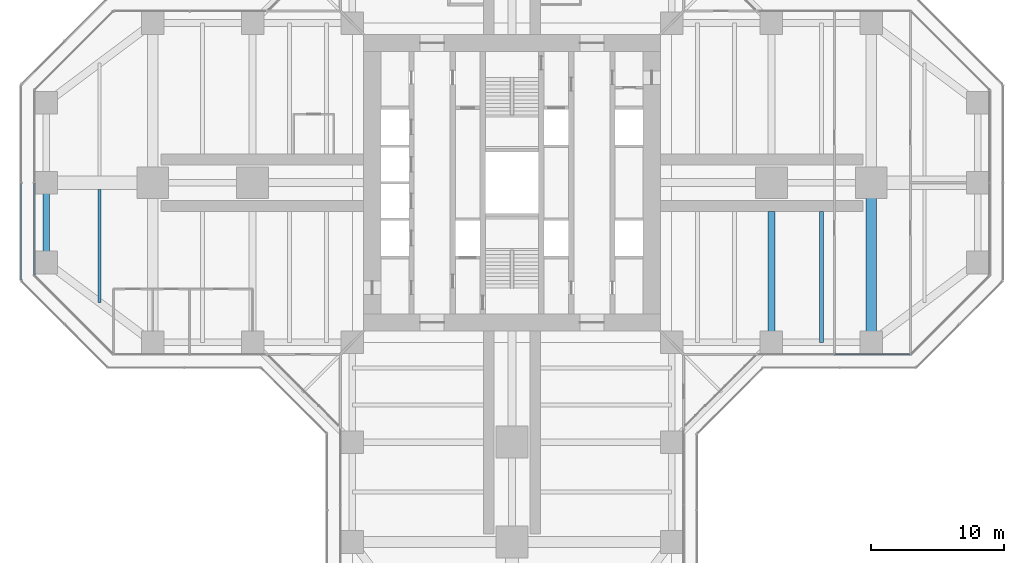
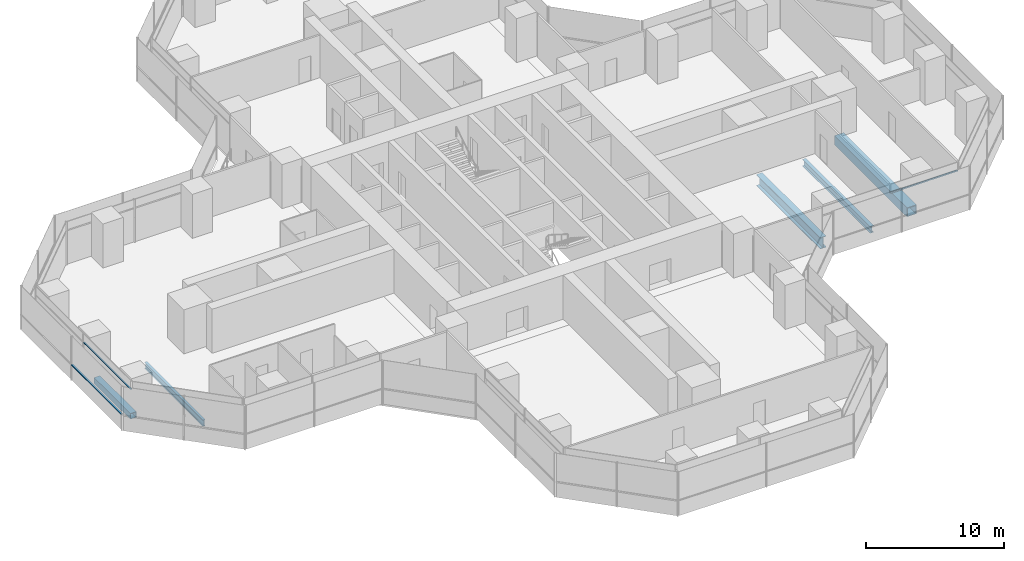
# One storey, part 7 of 22: 5 beams, 3 members, 3 elements without a shape of their own.
"""IFC4 building model written with IfcOpenShell, lengths in metres."""

from ifc_helpers import new_model, si_unit, direction, frame, origin, origin_2d, place, context, subcontext, project, spatial, rectangle, hollow_rectangle, i_section, extrude, material, material_profile, profile_set, type_object, element, aggregate, save


model = new_model("IFC4")

# Units and contexts
model_context = context("Model", 3, precision=1e-05, world=origin(), true_north=direction((0.0, 1.0)))
body_context = subcontext(model_context, "Body", "Model", "MODEL_VIEW")
ifc_project = project(units=[si_unit("LENGTHUNIT", "METRE"), si_unit("AREAUNIT", "SQUARE_METRE"), si_unit("VOLUMEUNIT", "CUBIC_METRE"), si_unit("PLANEANGLEUNIT", "RADIAN"), si_unit("MASSUNIT", "GRAM", prefix="KILO")], contexts=[model_context])

# Site, building, storey
site_placement = place(None, origin())
site = spatial("IfcSite", under=ifc_project, at=site_placement, CompositionType="ELEMENT")
building_placement = place(site_placement, origin())
building = spatial("IfcBuilding", under=site, at=building_placement, Name="Mizan Broadcast Tower", CompositionType="ELEMENT")
storey_placement = place(building_placement, frame((0.0, 0.0, 70.800048828125)))
storey = spatial("IfcBuildingStorey", under=building, at=storey_placement, Name="L14", CompositionType="ELEMENT", Elevation=70.800048828125)

# Beams
ifc_material_1 = material(Name="Steel S355", Category="steel")
ifc_material_profile_1 = material_profile(ifc_material_1, hollow_rectangle(XDim=0.5, YDim=0.5, WallThickness=0.030029296875, at=origin_2d()), Name="BOX 500x500x30")
ifc_profile_set_1 = profile_set([ifc_material_profile_1], Name="Steel S355")
beam_type_1 = type_object("IfcBeamType", Name="EDGE BEAM BOX 500x500x30", PredefinedType="SPANDREL", material=ifc_profile_set_1)
beam_1_placement = place(storey_placement, frame((-35.0, -5.639892578125, -0.380126953125), z_axis=(0.0, 1.0, 0.0), x_axis=(-1.0, 0.0, 0.0)))
element("IfcBeam", 1, at=beam_1_placement, inside=storey, type_object=beam_type_1, Name="Edge beam BOX 500x500x30 L14 west arm", PredefinedType="SPANDREL", context=body_context, shape_type="SweptSolid", body=[
    extrude(hollow_rectangle(XDim=0.5, YDim=0.5, WallThickness=0.030029296875, at=origin_2d()), origin(), (0.0, 0.0, 1.0), 5.27978515625),
])
ifc_material_2 = material(Name="Steel S460", Category="steel")
ifc_material_profile_2 = material_profile(ifc_material_2, hollow_rectangle(XDim=0.800048828125, YDim=0.800048828125, WallThickness=0.050048828125, at=origin_2d()), Name="BOX 800x800x50")
ifc_profile_set_2 = profile_set([ifc_material_profile_2], Name="Steel S460")
beam_type_2 = type_object("IfcBeamType", Name="GIRDER BOX 800x800x50", PredefinedType="BEAM", material=ifc_profile_set_2)
beam_2_placement = place(storey_placement, frame((27.0, -11.280029296875, -0.530029296875), z_axis=(0.0, 1.0, 0.0), x_axis=(-1.0, 0.0, 0.0)))
element("IfcBeam", 2, at=beam_2_placement, inside=storey, type_object=beam_type_2, Name="Girder BOX 800x800x50 L14 east arm", PredefinedType="BEAM", context=body_context, shape_type="SweptSolid", body=[
    extrude(hollow_rectangle(XDim=0.800048828125, YDim=0.800048828125, WallThickness=0.050048828125, at=origin_2d()), origin(), (0.0, 0.0, 1.0), 10.56005859375),
])
ifc_material_3 = material(Name="Steel S460", Category="steel")
ifc_material_profile_3 = material_profile(ifc_material_3, i_section(OverallWidth=0.5, OverallDepth=1.0, WebThickness=0.02490234375, FlangeThickness=0.050048828125, at=origin_2d()), Name="WPG 1000x500")
ifc_profile_set_3 = profile_set([ifc_material_profile_3], Name="Steel S460")
beam_type_3 = type_object("IfcBeamType", Name="GIRDER WPG 1000x500", PredefinedType="BEAM", material=ifc_profile_set_3)
beam_3_placement = place(storey_placement, frame((19.5, -11.408935546875, -0.630126953125), z_axis=(0.0, 1.0, 0.0), x_axis=(-1.0, 0.0, 0.0)))
element("IfcBeam", 3, at=beam_3_placement, inside=storey, type_object=beam_type_3, Name="Girder WPG 1000x500 L14 east arm", PredefinedType="BEAM", context=body_context, shape_type="SweptSolid", body=[
    extrude(i_section(OverallWidth=0.5, OverallDepth=1.0, WebThickness=0.02490234375, FlangeThickness=0.050048828125, at=origin_2d()), origin(), (0.0, 0.0, 1.0), 9.259033203125),
])

# Curtain wall, member
ifc_material_4 = material(Name="Aluminium framed glazing", Category="aluminium")
curtain_wall_type_1 = type_object("IfcCurtainWallType", Name="INNER SKIN LOW ZONE", PredefinedType="USERDEFINED", material=ifc_material_4)
curtain_wall_1_placement = place(storey_placement, origin())
curtain_wall_1 = element("IfcCurtainWall", 4, at=curtain_wall_1_placement, inside=storey, type_object=curtain_wall_type_1, Name="Inner skin low zone L14 E side", ObjectType="INNER SKIN LOW ZONE", PredefinedType="USERDEFINED")
ifc_material_5 = material(Name="Aluminium, pale anodised", Category="aluminium")
ifc_material_profile_4 = material_profile(ifc_material_5, rectangle(XDim=0.1201171875, YDim=0.06005859375, at=origin_2d()), Name="TRANSOM 120x60")
ifc_profile_set_4 = profile_set([ifc_material_profile_4], Name="Aluminium, pale anodised")
member_type_1 = type_object("IfcMemberType", Name="INNER SKIN TRANSOM 60x120", PredefinedType="USERDEFINED", material=ifc_profile_set_4)
member_1_placement = place(storey_placement, frame((24.25927734375, -12.89990234375, 3.030029296875), z_axis=(1.0, 0.0, 0.0), x_axis=(0.0, 1.0, 0.0)))
member_1 = element("IfcMember", 5, at=member_1_placement, type_object=member_type_1, Name="Inner skin low zone L14 E side transom 2.1", ObjectType="TRANSOM", PredefinedType="USERDEFINED", context=body_context, shape_type="SweptSolid", body=[
    extrude(rectangle(XDim=0.1201171875, YDim=0.06005859375, at=origin_2d()), origin(), (0.0, 0.0, 1.0), 5.639404296875),
])
aggregate(curtain_wall_1, [member_1])

curtain_wall_2_placement = place(storey_placement, origin())
curtain_wall_2 = element("IfcCurtainWall", 6, at=curtain_wall_2_placement, inside=storey, type_object=curtain_wall_type_1, Name="Inner skin low zone L14 W end", ObjectType="INNER SKIN LOW ZONE", PredefinedType="USERDEFINED")
member_2_placement = place(storey_placement, frame((-35.89990234375, -0.030029296875, 3.030029296875), z_axis=(0.0, -1.0, 0.0), x_axis=(1.0, 0.0, 0.0)))
member_2 = element("IfcMember", 7, at=member_2_placement, type_object=member_type_1, Name="Inner skin low zone L14 W end transom 2.1", ObjectType="TRANSOM", PredefinedType="USERDEFINED", context=body_context, shape_type="SweptSolid", body=[
    extrude(rectangle(XDim=0.1201171875, YDim=0.06005859375, at=origin_2d()), origin(), (0.0, 0.0, 1.0), 6.86865234375),
])
aggregate(curtain_wall_2, [member_2])

ifc_material_6 = material(Name="Aluminium framed glazing", Category="aluminium")
curtain_wall_type_2 = type_object("IfcCurtainWallType", Name="OUTER SKIN", PredefinedType="USERDEFINED", material=ifc_material_6)
curtain_wall_3_placement = place(storey_placement, origin())
curtain_wall_3 = element("IfcCurtainWall", 8, at=curtain_wall_3_placement, inside=storey, type_object=curtain_wall_type_2, Name="Outer skin L14 W end", ObjectType="OUTER SKIN", PredefinedType="USERDEFINED")
ifc_material_7 = material(Name="Aluminium, pale anodised", Category="aluminium")
ifc_material_profile_5 = material_profile(ifc_material_7, rectangle(XDim=0.159912109375, YDim=0.06005859375, at=origin_2d()), Name="TRANSOM 160x60")
ifc_profile_set_5 = profile_set([ifc_material_profile_5], Name="Aluminium, pale anodised")
member_type_2 = type_object("IfcMemberType", Name="OUTER SKIN TRANSOM 60x160", PredefinedType="USERDEFINED", material=ifc_profile_set_5)
member_3_placement = place(storey_placement, frame((-36.89990234375, -0.0400390625, 1.39990234375), z_axis=(0.0, -1.0, 0.0), x_axis=(1.0, 0.0, 0.0)))
member_3 = element("IfcMember", 9, at=member_3_placement, type_object=member_type_2, Name="Outer skin L14 W end transom 2.1", ObjectType="TRANSOM", PredefinedType="USERDEFINED", context=body_context, shape_type="SweptSolid", body=[
    extrude(rectangle(XDim=0.159912109375, YDim=0.06005859375, at=origin_2d()), origin(), (0.0, 0.0, 1.0), 7.252685546875),
])
aggregate(curtain_wall_3, [member_3])

# Beams
ifc_material_8 = material(Name="Steel S355", Category="steel")
ifc_material_profile_6 = material_profile(ifc_material_8, i_section(OverallWidth=0.300048828125, OverallDepth=0.590087890625, WebThickness=0.012939453125, FlangeThickness=0.02490234375, FilletRadius=0.027099609375, at=origin_2d()), Name="HEA 600")
ifc_profile_set_6 = profile_set([ifc_material_profile_6], Name="Steel S355")
beam_type_4 = type_object("IfcBeamType", Name="SECONDARY BEAM HEA 600", PredefinedType="JOIST", material=ifc_profile_set_6)
beam_4_placement = place(storey_placement, frame((23.25, -12.0, -0.425048828125), z_axis=(0.0, 1.0, 0.0), x_axis=(-1.0, 0.0, 0.0)))
element("IfcBeam", 10, at=beam_4_placement, inside=storey, type_object=beam_type_4, Name="Secondary beam HEA 600 L14 east arm", PredefinedType="JOIST", context=body_context, shape_type="SweptSolid", body=[
    extrude(i_section(OverallWidth=0.300048828125, OverallDepth=0.590087890625, WebThickness=0.012939453125, FlangeThickness=0.02490234375, FilletRadius=0.027099609375, at=origin_2d()), origin(), (0.0, 0.0, 1.0), 9.85009765625),
])
ifc_material_9 = material(Name="Steel S355", Category="steel")
ifc_material_profile_7 = material_profile(ifc_material_9, i_section(OverallWidth=0.2099609375, OverallDepth=0.550048828125, WebThickness=0.010986328125, FlangeThickness=0.01708984375, FilletRadius=0.02392578125, at=origin_2d()), Name="IPE 550")
ifc_profile_set_7 = profile_set([ifc_material_profile_7], Name="Steel S355")
beam_type_5 = type_object("IfcBeamType", Name="SECONDARY BEAM IPE 550", PredefinedType="JOIST", material=ifc_profile_set_7)
beam_5_placement = place(storey_placement, frame((-31.0, -9.0, -0.405029296875), z_axis=(0.0, 1.0, 0.0), x_axis=(-1.0, 0.0, 0.0)))
element("IfcBeam", 11, at=beam_5_placement, inside=storey, type_object=beam_type_5, Name="Secondary beam IPE 550 L14 west arm", PredefinedType="JOIST", context=body_context, shape_type="SweptSolid", body=[
    extrude(i_section(OverallWidth=0.2099609375, OverallDepth=0.550048828125, WebThickness=0.010986328125, FlangeThickness=0.01708984375, FilletRadius=0.02392578125, at=origin_2d()), origin(), (0.0, 0.0, 1.0), 8.5),
])

save(model, "model.ifc")
